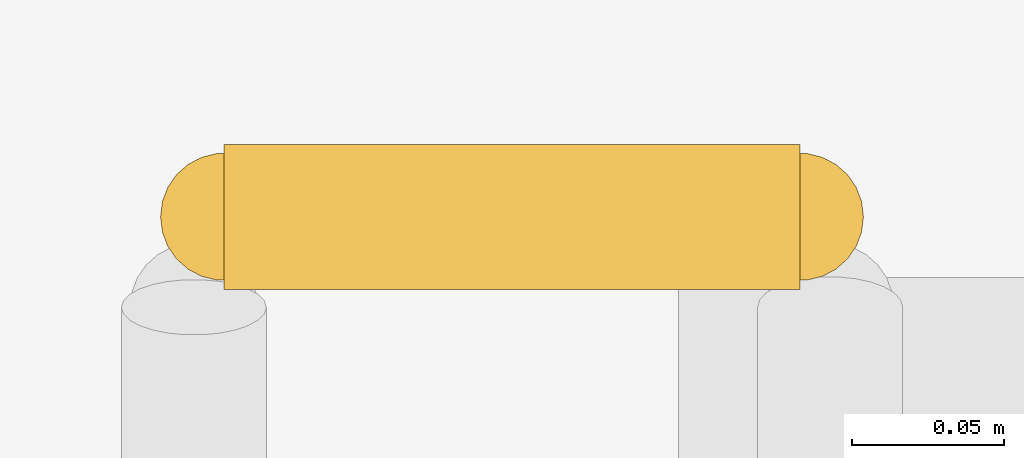
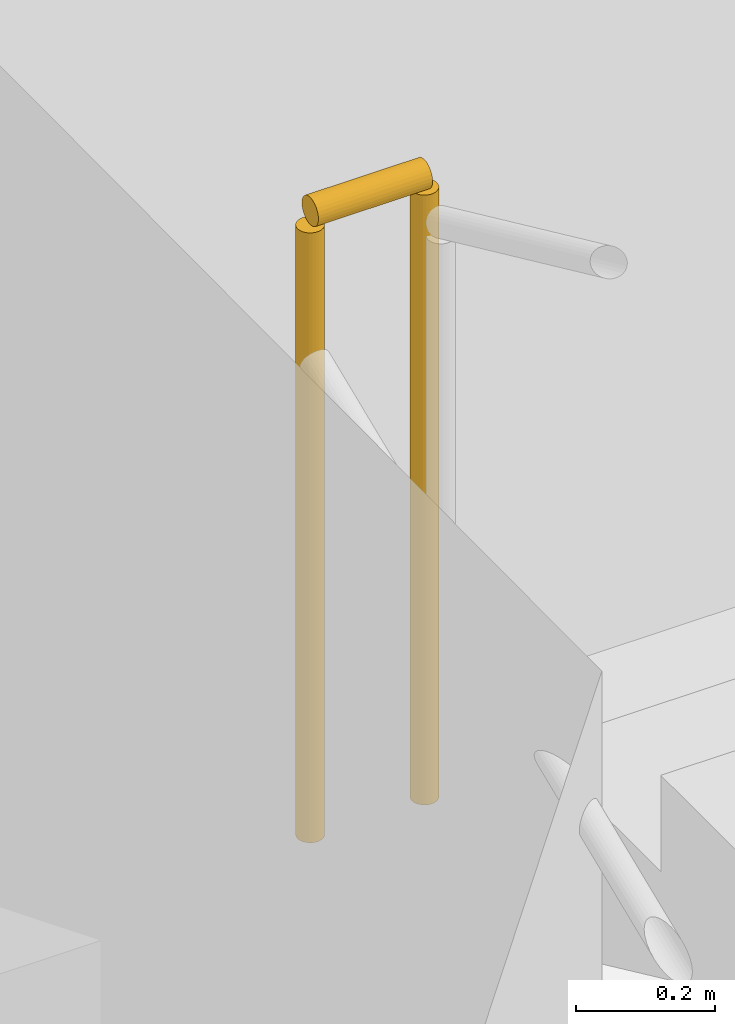
# One storey, part 89 of 93: 1 railing.
"""IFC4 building model written with IfcOpenShell, lengths in metres."""

import ifcopenshell
import ifcopenshell.guid

model = None  # the IFC model being written
_history = None  # IfcOwnerHistory: only IFC2X3 demands one
_inside = {}  # id of a spatial element -> (the spatial element, [elements in it])
_under = {}  # id of a project, library or spatial element -> (it, [spatial elements below it])
_declared = {}  # id of a project -> (the project, [libraries it declares])
_typed = {}  # id of a type object -> (the type object, [elements of that type])
_made_of = {}  # id of a material, layer set ... -> (it, [elements and type objects made of it])


def new_model(schema):
    """Start an empty IFC model of exactly this schema.

    Asked for "IFC4X3", IfcOpenShell would pick the latest addendum, in which some entities
    have other attributes; the version numbers below select the first issue.
    IFC2X3 requires an IfcOwnerHistory on every rooted entity: one is made here for all.
    """
    global model, _history
    if schema == "IFC4X3":
        model = ifcopenshell.file(schema_version=(4, 3, 0, 0))
    else:
        model = ifcopenshell.file(schema=schema)
    _inside.clear()
    _under.clear()
    _declared.clear()
    _typed.clear()
    _made_of.clear()
    _history = None
    if model.schema == "IFC2X3":
        org = make("IfcOrganization", Name="unknown")
        user = make(
            "IfcPersonAndOrganization",
            ThePerson=make("IfcPerson", FamilyName="unknown"),
            TheOrganization=org,
        )
        app = make(
            "IfcApplication",
            ApplicationDeveloper=org,
            Version="unknown",
            ApplicationFullName="unknown",
            ApplicationIdentifier="unknown",
        )
        _history = make(
            "IfcOwnerHistory",
            OwningUser=user,
            OwningApplication=app,
            ChangeAction="ADDED",
            CreationDate=0,
        )
    return model


def make(cls, **values):
    """One entity of the class cls with the attributes given. An attribute that is None is left unset."""
    return model.create_entity(
        cls, **{name: value for name, value in values.items() if value is not None}
    )


def rooted(cls, **values):
    """An entity with a GlobalId (a new one), such as an element, a storey or a relation."""
    return make(cls, GlobalId=ifcopenshell.guid.new(), OwnerHistory=_history, **values)


def si_unit(unit_type, name, prefix=None):
    """IfcSIUnit, for example si_unit("LENGTHUNIT", "METRE", prefix="MILLI")."""
    return make("IfcSIUnit", UnitType=unit_type, Prefix=prefix, Name=name)


def assignment(units):
    """IfcUnitAssignment: the units of a project."""
    return None if units is None else make("IfcUnitAssignment", Units=units)


def point(xyz):
    """IfcCartesianPoint."""
    return None if xyz is None else make("IfcCartesianPoint", Coordinates=xyz)


def direction(xyz):
    """IfcDirection."""
    return None if xyz is None else make("IfcDirection", DirectionRatios=xyz)


def frame(location, z_axis=None, x_axis=None):
    """IfcAxis2Placement3D, a coordinate frame: its origin and axes. An axis left out is left unset."""
    return make(
        "IfcAxis2Placement3D",
        Location=point(location),
        Axis=direction(z_axis),
        RefDirection=direction(x_axis),
    )


def frame_2d(location, x_axis=None):
    """IfcAxis2Placement2D, a coordinate frame in the plane: its origin and x axis."""
    return make(
        "IfcAxis2Placement2D", Location=point(location), RefDirection=direction(x_axis)
    )


def origin():
    """The frame at (0, 0, 0) with its axes left unset."""
    return frame((0.0, 0.0, 0.0))


def origin_2d():
    """The frame at (0, 0) in the plane with its x axis left unset."""
    return frame_2d((0.0, 0.0))


def place(relative_to, where):
    """IfcLocalPlacement: puts the frame where relative to a parent placement (None: the world)."""
    return make(
        "IfcLocalPlacement", PlacementRelTo=relative_to, RelativePlacement=where
    )


def context(
    kind, dimensions, precision=None, world=None, true_north=None, identifier=None
):
    """IfcGeometricRepresentationContext, for example the 3D "Model" context."""
    return make(
        "IfcGeometricRepresentationContext",
        ContextIdentifier=identifier,
        ContextType=kind,
        CoordinateSpaceDimension=dimensions,
        Precision=precision,
        WorldCoordinateSystem=world,
        TrueNorth=true_north,
    )


def subcontext(parent, identifier, kind, view, scale=None):
    """IfcGeometricRepresentationSubContext, for example "Body" below "Model"."""
    return make(
        "IfcGeometricRepresentationSubContext",
        ContextIdentifier=identifier,
        ContextType=kind,
        ParentContext=parent,
        TargetScale=scale,
        TargetView=view,
    )


def project(units=None, contexts=None):
    """IfcProject with its units and contexts."""
    return rooted(
        "IfcProject",
        Name="project",
        RepresentationContexts=contexts,
        UnitsInContext=assignment(units),
    )


def spatial(cls, under=None, at=None, **own):
    """A site, building, storey or space (cls), placed at a placement, below another one or the project."""
    s = rooted(cls, ObjectPlacement=at, **own)
    if under is not None:
        _under.setdefault(under.id(), (under, []))[1].append(s)
    return s


def profile(cls, at=None, kind="AREA", **sizes):
    """A parametric profile (cls). Its sizes go by their IFC names, for example OverallWidth=200.0."""
    return make(cls, ProfileType=kind, Position=at, **sizes)


def circle(**sizes):
    """IfcCircleProfileDef."""
    return profile("IfcCircleProfileDef", **sizes)


def extrude(swept, where, along, depth):
    """IfcExtrudedAreaSolid: the profile swept, set in the frame where, extruded along a direction by depth."""
    return make(
        "IfcExtrudedAreaSolid",
        SweptArea=swept,
        Position=where,
        ExtrudedDirection=direction(along),
        Depth=depth,
    )


def shape(context_of_items, identifier, shape_type, items):
    """IfcShapeRepresentation: the items that make up one representation, for example the "Body"."""
    return make(
        "IfcShapeRepresentation",
        ContextOfItems=context_of_items,
        RepresentationIdentifier=identifier,
        RepresentationType=shape_type,
        Items=items,
    )


def material(Name=None, Category=None):
    """IfcMaterial."""
    return make("IfcMaterial", Name=Name, Category=Category)


def made_of(thing, what):
    """Note that an element or type object is made of a material, layer set ...; save() writes the relation."""
    if what is not None:
        _made_of.setdefault(what.id(), (what, []))[1].append(thing)
    return thing


def type_object(cls, material=None, **own):
    """A type object (cls), such as IfcWallType, which elements share."""
    return made_of(rooted(cls, **own), material)


def element(
    cls,
    number,
    at=None,
    inside=None,
    cuts=None,
    type_object=None,
    material=None,
    context=None,
    identifier="Body",
    shape_type=None,
    held_by="IfcProductDefinitionShape",
    body=None,
    shapes=None,
    **own,
):
    """One element of the class cls, such as IfcWall. Its Tag is "e" and its number.

    at: its placement. inside: the storey or other place that contains it. cuts: it is an
    opening in that element (IfcRelVoidsElement). A single representation is given by context,
    identifier, shape_type and body (its items); several are given by shapes. held_by: the class
    of the entity that holds the representations. save() writes the other relations.
    """
    e = rooted(cls, Tag="e%d" % number, ObjectPlacement=at, **own)
    if body is not None:
        shapes = [shape(context, identifier, shape_type, body)]
    if shapes is not None:
        e.Representation = make(held_by, Representations=shapes)
    if inside is not None:
        _inside.setdefault(inside.id(), (inside, []))[1].append(e)
    if cuts is not None:
        rooted(
            "IfcRelVoidsElement", RelatingBuildingElement=cuts, RelatedOpeningElement=e
        )
    if type_object is not None:
        _typed.setdefault(type_object.id(), (type_object, []))[1].append(e)
    return made_of(e, material)


def aggregate(whole, parts):
    """IfcRelAggregates: a whole, such as a stair, and the parts it consists of."""
    return rooted("IfcRelAggregates", RelatingObject=whole, RelatedObjects=parts)


def save(model, path):
    """Write the relations noted so far, then the file.

    IfcRelAggregates (storeys below a building ...), IfcRelContainedInSpatialStructure (elements
    in a storey), IfcRelDefinesByType, IfcRelAssociatesMaterial and IfcRelDeclares: one each for
    every whole, place, type object, material and project.
    """
    for whole, parts in _under.values():
        aggregate(whole, parts)
    for where, things in _inside.values():
        rooted(
            "IfcRelContainedInSpatialStructure",
            RelatedElements=things,
            RelatingStructure=where,
        )
    for kind, things in _typed.values():
        rooted("IfcRelDefinesByType", RelatedObjects=things, RelatingType=kind)
    for what, things in _made_of.values():
        rooted("IfcRelAssociatesMaterial", RelatedObjects=things, RelatingMaterial=what)
    for by, libraries in _declared.values():
        rooted("IfcRelDeclares", RelatingContext=by, RelatedDefinitions=libraries)
    model.write(path)


model = new_model("IFC4")

# Units and contexts
model_context = context("Model", 3, precision=1e-05, world=origin(), true_north=direction((0.0, 1.0)))
body_context = subcontext(model_context, "Body", "Model", "MODEL_VIEW")
ifc_project = project(units=[si_unit("LENGTHUNIT", "METRE"), si_unit("AREAUNIT", "SQUARE_METRE"), si_unit("VOLUMEUNIT", "CUBIC_METRE"), si_unit("PLANEANGLEUNIT", "RADIAN"), si_unit("MASSUNIT", "GRAM", prefix="KILO")], contexts=[model_context])

# Site, building, storey
site_placement = place(None, origin())
site = spatial("IfcSite", under=ifc_project, at=site_placement, CompositionType="ELEMENT")
building_placement = place(site_placement, origin())
building = spatial("IfcBuilding", under=site, at=building_placement, Name="Kalgoora Escarpment Arena", CompositionType="ELEMENT")
storey_placement = place(building_placement, origin())
storey = spatial("IfcBuildingStorey", under=building, at=storey_placement, Name="L00", CompositionType="ELEMENT", Elevation=0.0)

# Railing
ifc_material = material(Name="Galvanised & powdercoated tubular steel", Category="steel")
railing_type = type_object("IfcRailingType", Name="RAL-GUARD-1120", PredefinedType="GUARDRAIL", material=ifc_material)
railing_placement = place(storey_placement, frame((147.905029296875, 89.02490234375, 2.699951171875)))
element("IfcRailing", 1, at=railing_placement, inside=storey, type_object=railing_type, Name="ST23 L00 half-landing well guard", PredefinedType="GUARDRAIL", context=body_context, shape_type="SweptSolid", body=[
    extrude(circle(Radius=0.02392578125, at=origin_2d()), frame((0.0, 0.0, 1.09619140625), z_axis=(1.0, 0.0, 0.0), x_axis=(0.0, 1.0, 0.0)), (0.0, 0.0, 1.0), 0.18994140625),
    extrude(circle(Radius=0.02099609375, at=origin_2d()), origin(), (0.0, 0.0, 1.0), 1.072021484375),
    extrude(circle(Radius=0.02099609375, at=origin_2d()), frame((0.18994140625, 0.0, 0.0)), (0.0, 0.0, 1.0), 1.072021484375),
])

save(model, "model.ifc")
